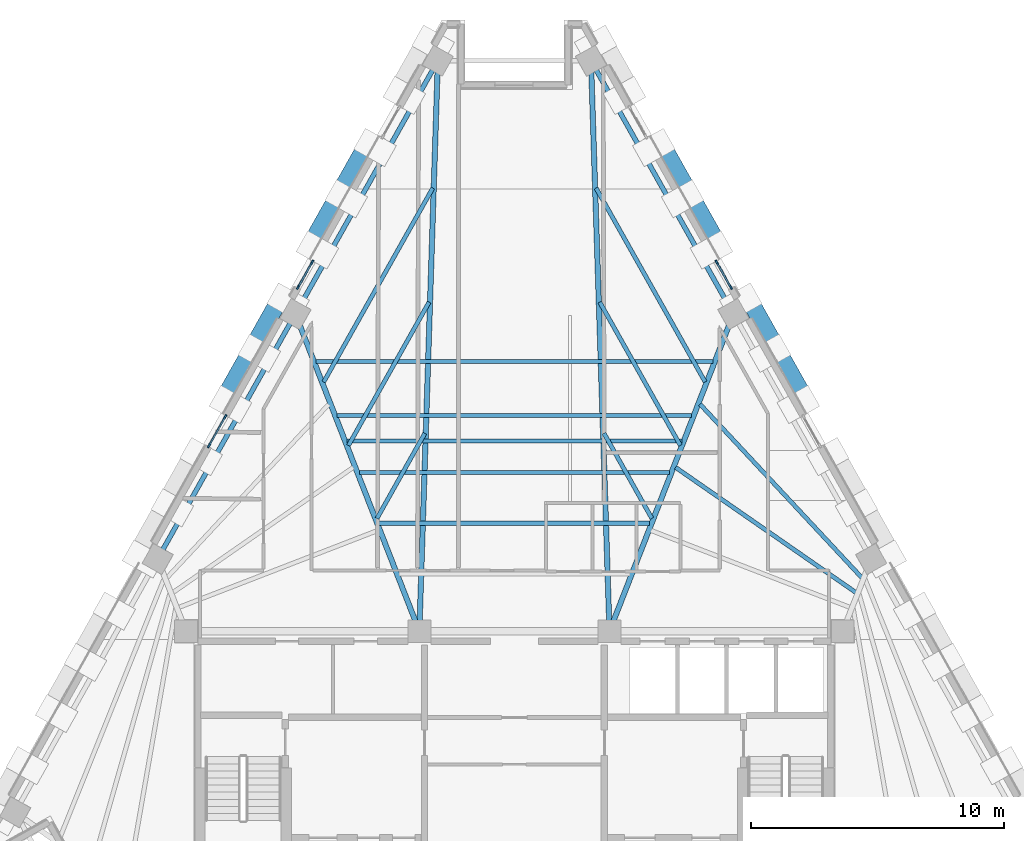
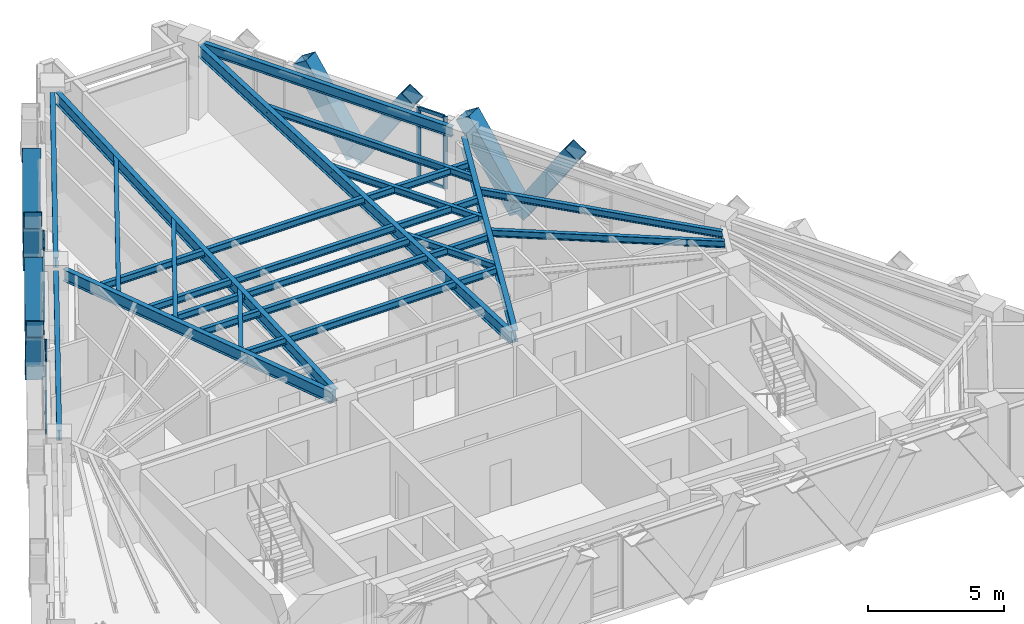
# One storey, part 3 of 12: 23 members, 20 beams, 3 elements without a shape of their own.
"""IFC4 building model written with IfcOpenShell, lengths in metres."""

import ifcopenshell
import ifcopenshell.guid

model = None  # the IFC model being written
_history = None  # IfcOwnerHistory: only IFC2X3 demands one
_inside = {}  # id of a spatial element -> (the spatial element, [elements in it])
_under = {}  # id of a project, library or spatial element -> (it, [spatial elements below it])
_declared = {}  # id of a project -> (the project, [libraries it declares])
_typed = {}  # id of a type object -> (the type object, [elements of that type])
_made_of = {}  # id of a material, layer set ... -> (it, [elements and type objects made of it])


def new_model(schema):
    """Start an empty IFC model of exactly this schema.

    Asked for "IFC4X3", IfcOpenShell would pick the latest addendum, in which some entities
    have other attributes; the version numbers below select the first issue.
    IFC2X3 requires an IfcOwnerHistory on every rooted entity: one is made here for all.
    """
    global model, _history
    if schema == "IFC4X3":
        model = ifcopenshell.file(schema_version=(4, 3, 0, 0))
    else:
        model = ifcopenshell.file(schema=schema)
    _inside.clear()
    _under.clear()
    _declared.clear()
    _typed.clear()
    _made_of.clear()
    _history = None
    if model.schema == "IFC2X3":
        org = make("IfcOrganization", Name="unknown")
        user = make(
            "IfcPersonAndOrganization",
            ThePerson=make("IfcPerson", FamilyName="unknown"),
            TheOrganization=org,
        )
        app = make(
            "IfcApplication",
            ApplicationDeveloper=org,
            Version="unknown",
            ApplicationFullName="unknown",
            ApplicationIdentifier="unknown",
        )
        _history = make(
            "IfcOwnerHistory",
            OwningUser=user,
            OwningApplication=app,
            ChangeAction="ADDED",
            CreationDate=0,
        )
    return model


def make(cls, **values):
    """One entity of the class cls with the attributes given. An attribute that is None is left unset."""
    return model.create_entity(
        cls, **{name: value for name, value in values.items() if value is not None}
    )


def rooted(cls, **values):
    """An entity with a GlobalId (a new one), such as an element, a storey or a relation."""
    return make(cls, GlobalId=ifcopenshell.guid.new(), OwnerHistory=_history, **values)


def si_unit(unit_type, name, prefix=None):
    """IfcSIUnit, for example si_unit("LENGTHUNIT", "METRE", prefix="MILLI")."""
    return make("IfcSIUnit", UnitType=unit_type, Prefix=prefix, Name=name)


def assignment(units):
    """IfcUnitAssignment: the units of a project."""
    return None if units is None else make("IfcUnitAssignment", Units=units)


def point(xyz):
    """IfcCartesianPoint."""
    return None if xyz is None else make("IfcCartesianPoint", Coordinates=xyz)


def direction(xyz):
    """IfcDirection."""
    return None if xyz is None else make("IfcDirection", DirectionRatios=xyz)


def frame(location, z_axis=None, x_axis=None):
    """IfcAxis2Placement3D, a coordinate frame: its origin and axes. An axis left out is left unset."""
    return make(
        "IfcAxis2Placement3D",
        Location=point(location),
        Axis=direction(z_axis),
        RefDirection=direction(x_axis),
    )


def frame_2d(location, x_axis=None):
    """IfcAxis2Placement2D, a coordinate frame in the plane: its origin and x axis."""
    return make(
        "IfcAxis2Placement2D", Location=point(location), RefDirection=direction(x_axis)
    )


def origin():
    """The frame at (0, 0, 0) with its axes left unset."""
    return frame((0.0, 0.0, 0.0))


def origin_2d():
    """The frame at (0, 0) in the plane with its x axis left unset."""
    return frame_2d((0.0, 0.0))


def place(relative_to, where):
    """IfcLocalPlacement: puts the frame where relative to a parent placement (None: the world)."""
    return make(
        "IfcLocalPlacement", PlacementRelTo=relative_to, RelativePlacement=where
    )


def context(
    kind, dimensions, precision=None, world=None, true_north=None, identifier=None
):
    """IfcGeometricRepresentationContext, for example the 3D "Model" context."""
    return make(
        "IfcGeometricRepresentationContext",
        ContextIdentifier=identifier,
        ContextType=kind,
        CoordinateSpaceDimension=dimensions,
        Precision=precision,
        WorldCoordinateSystem=world,
        TrueNorth=true_north,
    )


def subcontext(parent, identifier, kind, view, scale=None):
    """IfcGeometricRepresentationSubContext, for example "Body" below "Model"."""
    return make(
        "IfcGeometricRepresentationSubContext",
        ContextIdentifier=identifier,
        ContextType=kind,
        ParentContext=parent,
        TargetScale=scale,
        TargetView=view,
    )


def project(units=None, contexts=None):
    """IfcProject with its units and contexts."""
    return rooted(
        "IfcProject",
        Name="project",
        RepresentationContexts=contexts,
        UnitsInContext=assignment(units),
    )


def spatial(cls, under=None, at=None, **own):
    """A site, building, storey or space (cls), placed at a placement, below another one or the project."""
    s = rooted(cls, ObjectPlacement=at, **own)
    if under is not None:
        _under.setdefault(under.id(), (under, []))[1].append(s)
    return s


def profile(cls, at=None, kind="AREA", **sizes):
    """A parametric profile (cls). Its sizes go by their IFC names, for example OverallWidth=200.0."""
    return make(cls, ProfileType=kind, Position=at, **sizes)


def rectangle(**sizes):
    """IfcRectangleProfileDef."""
    return profile("IfcRectangleProfileDef", **sizes)


def hollow_rectangle(**sizes):
    """IfcRectangleHollowProfileDef."""
    return profile("IfcRectangleHollowProfileDef", **sizes)


def i_section(**sizes):
    """IfcIShapeProfileDef."""
    return profile("IfcIShapeProfileDef", **sizes)


def extrude(swept, where, along, depth):
    """IfcExtrudedAreaSolid: the profile swept, set in the frame where, extruded along a direction by depth."""
    return make(
        "IfcExtrudedAreaSolid",
        SweptArea=swept,
        Position=where,
        ExtrudedDirection=direction(along),
        Depth=depth,
    )


def shape(context_of_items, identifier, shape_type, items):
    """IfcShapeRepresentation: the items that make up one representation, for example the "Body"."""
    return make(
        "IfcShapeRepresentation",
        ContextOfItems=context_of_items,
        RepresentationIdentifier=identifier,
        RepresentationType=shape_type,
        Items=items,
    )


def material(Name=None, Category=None):
    """IfcMaterial."""
    return make("IfcMaterial", Name=Name, Category=Category)


def material_profile(
    of_material, cross_section, Name=None, Category=None, Priority=None
):
    """IfcMaterialProfile: a cross section and its material."""
    return make(
        "IfcMaterialProfile",
        Name=Name,
        Material=of_material,
        Profile=cross_section,
        Priority=Priority,
        Category=Category,
    )


def profile_set(profiles, Name=None, composite=None):
    """IfcMaterialProfileSet."""
    return make(
        "IfcMaterialProfileSet",
        Name=Name,
        MaterialProfiles=profiles,
        CompositeProfile=composite,
    )


def made_of(thing, what):
    """Note that an element or type object is made of a material, layer set ...; save() writes the relation."""
    if what is not None:
        _made_of.setdefault(what.id(), (what, []))[1].append(thing)
    return thing


def type_object(cls, material=None, **own):
    """A type object (cls), such as IfcWallType, which elements share."""
    return made_of(rooted(cls, **own), material)


def element(
    cls,
    number,
    at=None,
    inside=None,
    cuts=None,
    type_object=None,
    material=None,
    context=None,
    identifier="Body",
    shape_type=None,
    held_by="IfcProductDefinitionShape",
    body=None,
    shapes=None,
    **own,
):
    """One element of the class cls, such as IfcWall. Its Tag is "e" and its number.

    at: its placement. inside: the storey or other place that contains it. cuts: it is an
    opening in that element (IfcRelVoidsElement). A single representation is given by context,
    identifier, shape_type and body (its items); several are given by shapes. held_by: the class
    of the entity that holds the representations. save() writes the other relations.
    """
    e = rooted(cls, Tag="e%d" % number, ObjectPlacement=at, **own)
    if body is not None:
        shapes = [shape(context, identifier, shape_type, body)]
    if shapes is not None:
        e.Representation = make(held_by, Representations=shapes)
    if inside is not None:
        _inside.setdefault(inside.id(), (inside, []))[1].append(e)
    if cuts is not None:
        rooted(
            "IfcRelVoidsElement", RelatingBuildingElement=cuts, RelatedOpeningElement=e
        )
    if type_object is not None:
        _typed.setdefault(type_object.id(), (type_object, []))[1].append(e)
    return made_of(e, material)


def aggregate(whole, parts):
    """IfcRelAggregates: a whole, such as a stair, and the parts it consists of."""
    return rooted("IfcRelAggregates", RelatingObject=whole, RelatedObjects=parts)


def save(model, path):
    """Write the relations noted so far, then the file.

    IfcRelAggregates (storeys below a building ...), IfcRelContainedInSpatialStructure (elements
    in a storey), IfcRelDefinesByType, IfcRelAssociatesMaterial and IfcRelDeclares: one each for
    every whole, place, type object, material and project.
    """
    for whole, parts in _under.values():
        aggregate(whole, parts)
    for where, things in _inside.values():
        rooted(
            "IfcRelContainedInSpatialStructure",
            RelatedElements=things,
            RelatingStructure=where,
        )
    for kind, things in _typed.values():
        rooted("IfcRelDefinesByType", RelatedObjects=things, RelatingType=kind)
    for what, things in _made_of.values():
        rooted("IfcRelAssociatesMaterial", RelatedObjects=things, RelatingMaterial=what)
    for by, libraries in _declared.values():
        rooted("IfcRelDeclares", RelatingContext=by, RelatedDefinitions=libraries)
    model.write(path)


model = new_model("IFC4")

# Units and contexts
model_context = context("Model", 3, precision=1e-05, world=origin(), true_north=direction((0.0, 1.0)))
body_context = subcontext(model_context, "Body", "Model", "MODEL_VIEW")
ifc_project = project(units=[si_unit("LENGTHUNIT", "METRE"), si_unit("AREAUNIT", "SQUARE_METRE"), si_unit("VOLUMEUNIT", "CUBIC_METRE"), si_unit("PLANEANGLEUNIT", "RADIAN"), si_unit("MASSUNIT", "GRAM", prefix="KILO")], contexts=[model_context])

# Site, building, storey
site_placement = place(None, origin())
site = spatial("IfcSite", under=ifc_project, at=site_placement, CompositionType="ELEMENT")
building_placement = place(site_placement, origin())
building = spatial("IfcBuilding", under=site, at=building_placement, Name="Quenlor Broadcast Tower", CompositionType="ELEMENT")
storey_placement = place(building_placement, frame((0.0, 0.0, 190.39990234375)))
storey = spatial("IfcBuildingStorey", under=building, at=storey_placement, Name="L52", CompositionType="ELEMENT", Elevation=190.39990234375)

# Curtain wall, members
ifc_material_1 = material(Name="Architectural Terracotta and Low-E Glazing", Category="masonry")
curtain_wall_type = type_object("IfcCurtainWallType", Name="Unitised Terracotta Curtain Wall System Z4", PredefinedType="NOTDEFINED", material=ifc_material_1)
curtain_wall_1_placement = place(storey_placement, origin())
curtain_wall_1 = element("IfcCurtainWall", 1, at=curtain_wall_1_placement, inside=storey, type_object=curtain_wall_type, Name="L52 Curtain Wall CW4 (L52-NEA-G2)", PredefinedType="NOTDEFINED")
ifc_material_2 = material(Name="Aluminium 6063-T6", Category="aluminium")
ifc_material_profile_1 = material_profile(ifc_material_2, rectangle(XDim=0.068115234375, YDim=0.179931640625, at=origin_2d()))
ifc_profile_set_1 = profile_set([ifc_material_profile_1], Name="Aluminium 6063-T6 MULL68x180")
member_type_1 = type_object("IfcMemberType", Name="CW4 Aluminium Mullion MULL_CW4", PredefinedType="MULLION", material=ifc_profile_set_1)
member_1_placement = place(storey_placement, frame((7.979248046875, 9.755859375, 0.0), z_axis=(0.0, 0.0, 1.0), x_axis=(0.871557755022, 0.490292850918, 0.0)))
member_1 = element("IfcMember", 2, at=member_1_placement, type_object=member_type_1, Name="CW4 mullion 1", PredefinedType="MULLION", context=body_context, shape_type="SweptSolid", body=[
    extrude(rectangle(XDim=0.068115234375, YDim=0.179931640625, at=origin_2d()), origin(), (0.0, 0.0, 1.0), 3.25),
])
member_2_placement = place(storey_placement, frame((8.534912109375, 8.767822265625, 0.0), z_axis=(0.0, 0.0, 1.0), x_axis=(0.871557755022, 0.490292850918, 0.0)))
member_2 = element("IfcMember", 3, at=member_2_placement, type_object=member_type_1, Name="CW4 mullion 2", PredefinedType="MULLION", context=body_context, shape_type="SweptSolid", body=[
    extrude(rectangle(XDim=0.068115234375, YDim=0.179931640625, at=origin_2d()), origin(), (0.0, 0.0, 1.0), 3.25),
])

curtain_wall_2_placement = place(storey_placement, origin())
curtain_wall_2 = element("IfcCurtainWall", 4, at=curtain_wall_2_placement, inside=storey, type_object=curtain_wall_type, Name="L52 Curtain Wall CW4 (L52-NWC-G1)", PredefinedType="NOTDEFINED")
member_3_placement = place(storey_placement, frame((-8.534912109375, 8.767822265625, 0.0), z_axis=(0.0, 0.0, 1.0), x_axis=(-0.871557755022, 0.490292850918, 0.0)))
member_3 = element("IfcMember", 5, at=member_3_placement, type_object=member_type_1, Name="CW4 mullion 1", PredefinedType="MULLION", context=body_context, shape_type="SweptSolid", body=[
    extrude(rectangle(XDim=0.068115234375, YDim=0.179931640625, at=origin_2d()), origin(), (0.0, 0.0, 1.0), 3.25),
])
member_4_placement = place(storey_placement, frame((-7.979248046875, 9.755859375, 0.0), z_axis=(0.0, 0.0, 1.0), x_axis=(-0.871557755022, 0.490292850918, 0.0)))
member_4 = element("IfcMember", 6, at=member_4_placement, type_object=member_type_1, Name="CW4 mullion 2", PredefinedType="MULLION", context=body_context, shape_type="SweptSolid", body=[
    extrude(rectangle(XDim=0.068115234375, YDim=0.179931640625, at=origin_2d()), origin(), (0.0, 0.0, 1.0), 3.25),
])

curtain_wall_3_placement = place(storey_placement, origin())
curtain_wall_3 = element("IfcCurtainWall", 7, at=curtain_wall_3_placement, inside=storey, type_object=curtain_wall_type, Name="L52 Curtain Wall CW4 (L52-NW-G1)", PredefinedType="NOTDEFINED")
member_5_placement = place(storey_placement, frame((-12.049560546875, 2.519775390625, 0.0), z_axis=(0.0, 0.0, 1.0), x_axis=(-0.871560008943, 0.490288844266, 0.0)))
member_5 = element("IfcMember", 8, at=member_5_placement, type_object=member_type_1, Name="CW4 mullion 1", PredefinedType="MULLION", context=body_context, shape_type="SweptSolid", body=[
    extrude(rectangle(XDim=0.068115234375, YDim=0.179931640625, at=origin_2d()), origin(), (0.0, 0.0, 1.0), 3.25),
])
member_6_placement = place(storey_placement, frame((-11.408203125, 3.65966796875, 0.0), z_axis=(0.0, 0.0, 1.0), x_axis=(-0.871560008943, 0.490288844266, 0.0)))
member_6 = element("IfcMember", 9, at=member_6_placement, type_object=member_type_1, Name="CW4 mullion 2", PredefinedType="MULLION", context=body_context, shape_type="SweptSolid", body=[
    extrude(rectangle(XDim=0.068115234375, YDim=0.179931640625, at=origin_2d()), origin(), (0.0, 0.0, 1.0), 3.25),
])

# Member
ifc_material_3 = material(Name="Aluminium 6063-T6", Category="aluminium")
ifc_material_profile_2 = material_profile(ifc_material_3, rectangle(XDim=0.068115234375, YDim=0.14990234375, at=origin_2d()))
ifc_profile_set_2 = profile_set([ifc_material_profile_2], Name="Aluminium 6063-T6 TRAN68x150")
member_type_2 = type_object("IfcMemberType", Name="CW4 Aluminium Transom TRAN_CW4", PredefinedType="USERDEFINED", material=ifc_profile_set_2)
member_7_placement = place(storey_placement, frame((7.995849609375, 9.72607421875, 0.0341796875), z_axis=(0.490304750356, -0.871551060913, 0.0), x_axis=(0.871551060913, 0.490304750356, 0.0)))
member_7 = element("IfcMember", 10, at=member_7_placement, type_object=member_type_2, Name="CW4 transom 1.1", ObjectType="TRANSOM", PredefinedType="USERDEFINED", context=body_context, shape_type="SweptSolid", body=[
    extrude(rectangle(XDim=0.068115234375, YDim=0.14990234375, at=origin_2d()), origin(), (0.0, 0.0, 1.0), 1.065673828125),
])

member_8_placement = place(storey_placement, frame((7.995849609375, 9.72607421875, 0.9501953125), z_axis=(0.490304750356, -0.871551060913, 0.0), x_axis=(0.871551060913, 0.490304750356, 0.0)))
member_8 = element("IfcMember", 11, at=member_8_placement, type_object=member_type_2, Name="CW4 transom 1.2", ObjectType="TRANSOM", PredefinedType="USERDEFINED", context=body_context, shape_type="SweptSolid", body=[
    extrude(rectangle(XDim=0.068115234375, YDim=0.14990234375, at=origin_2d()), origin(), (0.0, 0.0, 1.0), 1.065673828125),
])

member_9_placement = place(storey_placement, frame((7.995849609375, 9.72607421875, 3.216064453125), z_axis=(0.490304750356, -0.871551060913, 0.0), x_axis=(0.871551060913, 0.490304750356, 0.0)))
member_9 = element("IfcMember", 12, at=member_9_placement, type_object=member_type_2, Name="CW4 transom 1.3", ObjectType="TRANSOM", PredefinedType="USERDEFINED", context=body_context, shape_type="SweptSolid", body=[
    extrude(rectangle(XDim=0.068115234375, YDim=0.14990234375, at=origin_2d()), origin(), (0.0, 0.0, 1.0), 1.065673828125),
])

aggregate(curtain_wall_1, [member_1, member_2, member_7, member_8, member_9])

member_10_placement = place(storey_placement, frame((-8.518310546875, 8.79736328125, 0.0341796875), z_axis=(0.490304750356, 0.871551060913, 0.0), x_axis=(-0.871551060913, 0.490304750356, 0.0)))
member_10 = element("IfcMember", 13, at=member_10_placement, type_object=member_type_2, Name="CW4 transom 1.1", ObjectType="TRANSOM", PredefinedType="USERDEFINED", context=body_context, shape_type="SweptSolid", body=[
    extrude(rectangle(XDim=0.068115234375, YDim=0.14990234375, at=origin_2d()), origin(), (0.0, 0.0, 1.0), 1.065673828125),
])

member_11_placement = place(storey_placement, frame((-8.518310546875, 8.79736328125, 0.9501953125), z_axis=(0.490304750356, 0.871551060913, 0.0), x_axis=(-0.871551060913, 0.490304750356, 0.0)))
member_11 = element("IfcMember", 14, at=member_11_placement, type_object=member_type_2, Name="CW4 transom 1.2", ObjectType="TRANSOM", PredefinedType="USERDEFINED", context=body_context, shape_type="SweptSolid", body=[
    extrude(rectangle(XDim=0.068115234375, YDim=0.14990234375, at=origin_2d()), origin(), (0.0, 0.0, 1.0), 1.065673828125),
])

member_12_placement = place(storey_placement, frame((-8.518310546875, 8.79736328125, 3.216064453125), z_axis=(0.490304750356, 0.871551060913, 0.0), x_axis=(-0.871551060913, 0.490304750356, 0.0)))
member_12 = element("IfcMember", 15, at=member_12_placement, type_object=member_type_2, Name="CW4 transom 1.3", ObjectType="TRANSOM", PredefinedType="USERDEFINED", context=body_context, shape_type="SweptSolid", body=[
    extrude(rectangle(XDim=0.068115234375, YDim=0.14990234375, at=origin_2d()), origin(), (0.0, 0.0, 1.0), 1.065673828125),
])

aggregate(curtain_wall_2, [member_3, member_4, member_10, member_11, member_12])

member_13_placement = place(storey_placement, frame((-12.032958984375, 2.54931640625, 0.0341796875), z_axis=(0.490233197009, 0.871591310506, 0.0), x_axis=(-0.871591310506, 0.490233197009, 0.0)))
member_13 = element("IfcMember", 16, at=member_13_placement, type_object=member_type_2, Name="CW4 transom 1.1", ObjectType="TRANSOM", PredefinedType="USERDEFINED", context=body_context, shape_type="SweptSolid", body=[
    extrude(rectangle(XDim=0.068115234375, YDim=0.14990234375, at=origin_2d()), origin(), (0.0, 0.0, 1.0), 1.239990234375),
])

member_14_placement = place(storey_placement, frame((-12.032958984375, 2.54931640625, 0.9501953125), z_axis=(0.490233197009, 0.871591310506, 0.0), x_axis=(-0.871591310506, 0.490233197009, 0.0)))
member_14 = element("IfcMember", 17, at=member_14_placement, type_object=member_type_2, Name="CW4 transom 1.2", ObjectType="TRANSOM", PredefinedType="USERDEFINED", context=body_context, shape_type="SweptSolid", body=[
    extrude(rectangle(XDim=0.068115234375, YDim=0.14990234375, at=origin_2d()), origin(), (0.0, 0.0, 1.0), 1.239990234375),
])

member_15_placement = place(storey_placement, frame((-12.032958984375, 2.54931640625, 3.216064453125), z_axis=(0.490233197009, 0.871591310506, 0.0), x_axis=(-0.871591310506, 0.490233197009, 0.0)))
member_15 = element("IfcMember", 18, at=member_15_placement, type_object=member_type_2, Name="CW4 transom 1.3", ObjectType="TRANSOM", PredefinedType="USERDEFINED", context=body_context, shape_type="SweptSolid", body=[
    extrude(rectangle(XDim=0.068115234375, YDim=0.14990234375, at=origin_2d()), origin(), (0.0, 0.0, 1.0), 1.239990234375),
])

aggregate(curtain_wall_3, [member_5, member_6, member_13, member_14, member_15])

# Members
ifc_material_4 = material(Name="Steel S355", Category="steel")
ifc_material_profile_3 = material_profile(ifc_material_4, hollow_rectangle(XDim=0.679931640625, YDim=0.679931640625, WallThickness=0.02490234375, at=origin_2d()))
ifc_profile_set_3 = profile_set([ifc_material_profile_3], Name="Steel S355 RHS680x680x25")
member_type_3 = type_object("IfcMemberType", Name="Perimeter Diagonal Lattice Brace Z3-Z4 Steel S355 RHS680x25", PredefinedType="BRACE", material=ifc_profile_set_3)
for number, where, z_axis, x_axis, name in (
    (19, (6.922607421875, 12.439697265625, -0.119873046875), (-0.269485495908, 0.479188912076, 0.835317636614), (-0.871620820774, -0.490180726664, 0.0), "L52 Perimeter Diamond Lattice NE-C1B"),
    (20, (6.936279296875, 12.415283203125, -0.119873046875), (0.269547055694, -0.479136497832, 0.835327840559), (0.871550060774, 0.49030652817, 0.0), "L52 Perimeter Diamond Lattice NE-C2S"),
):
    element("IfcMember", number, at=place(storey_placement, frame(where, z_axis=z_axis, x_axis=x_axis)), inside=storey, type_object=member_type_3, Name=name, PredefinedType="BRACE", context=body_context, shape_type="SweptSolid", body=[
        extrude(hollow_rectangle(XDim=0.679931640625, YDim=0.679931640625, WallThickness=0.02490234375, at=origin_2d()), origin(), (0.0, 0.0, 1.0), 4.18994140625),
    ])
member_16_placement = place(storey_placement, frame((10.351806640625, 6.343505859375, -0.119873046875), z_axis=(-0.269539530269, 0.479181387144, 0.835304519224), x_axis=(-0.871575537125, -0.490261239633, 0.0)))
element("IfcMember", 21, at=member_16_placement, inside=storey, type_object=member_type_3, Name="L52 Perimeter Diamond Lattice NE-C2B", PredefinedType="BRACE", context=body_context, shape_type="SweptSolid", body=[
    extrude(hollow_rectangle(XDim=0.679931640625, YDim=0.679931640625, WallThickness=0.02490234375, at=origin_2d()), origin(), (0.0, 0.0, 1.0), 4.190185546875),
])
for number, where, z_axis, x_axis, name in (
    (22, (10.365478515625, 6.319091796875, -0.119873046875), (0.269547055694, -0.479136497832, 0.835327840559), (0.871550060774, 0.49030652817, 0.0), "L52 Perimeter Diamond Lattice NE-C3S"),
    (23, (-10.365478515625, 6.319091796875, -0.119873046875), (-0.269547055694, -0.479136497832, 0.835327840559), (0.871550060774, -0.49030652817, 0.0), "L52 Perimeter Diamond Lattice NW-C3B"),
):
    element("IfcMember", number, at=place(storey_placement, frame(where, z_axis=z_axis, x_axis=x_axis)), inside=storey, type_object=member_type_3, Name=name, PredefinedType="BRACE", context=body_context, shape_type="SweptSolid", body=[
        extrude(hollow_rectangle(XDim=0.679931640625, YDim=0.679931640625, WallThickness=0.02490234375, at=origin_2d()), origin(), (0.0, 0.0, 1.0), 4.18994140625),
    ])
member_17_placement = place(storey_placement, frame((-10.351806640625, 6.343505859375, -0.119873046875), z_axis=(0.269539530269, 0.479181387144, 0.835304519224), x_axis=(-0.871575537125, 0.490261239633, 0.0)))
element("IfcMember", 24, at=member_17_placement, inside=storey, type_object=member_type_3, Name="L52 Perimeter Diamond Lattice NW-C4S", PredefinedType="BRACE", context=body_context, shape_type="SweptSolid", body=[
    extrude(hollow_rectangle(XDim=0.679931640625, YDim=0.679931640625, WallThickness=0.02490234375, at=origin_2d()), origin(), (0.0, 0.0, 1.0), 4.190185546875),
])
for number, where, z_axis, x_axis, name in (
    (25, (-6.936279296875, 12.415283203125, -0.119873046875), (-0.269547055694, -0.479136497832, 0.835327840559), (0.871550060774, -0.49030652817, 0.0), "L52 Perimeter Diamond Lattice NW-C4B"),
    (26, (-6.922607421875, 12.439697265625, -0.119873046875), (0.269485495908, 0.479188912076, 0.835317636614), (-0.871620820774, 0.490180726664, 0.0), "L52 Perimeter Diamond Lattice NW-C5S"),
):
    element("IfcMember", number, at=place(storey_placement, frame(where, z_axis=z_axis, x_axis=x_axis)), inside=storey, type_object=member_type_3, Name=name, PredefinedType="BRACE", context=body_context, shape_type="SweptSolid", body=[
        extrude(hollow_rectangle(XDim=0.679931640625, YDim=0.679931640625, WallThickness=0.02490234375, at=origin_2d()), origin(), (0.0, 0.0, 1.0), 4.18994140625),
    ])

# Beams
ifc_material_5 = material(Name="Steel S355", Category="steel")
ifc_material_profile_4 = material_profile(ifc_material_5, i_section(OverallWidth=0.18994140625, OverallDepth=0.453857421875, WebThickness=0.008544921875, FlangeThickness=0.0126953125, FilletRadius=0.011474609375, at=origin_2d()))
ifc_profile_set_4 = profile_set([ifc_material_profile_4], Name="Steel S355 460UB67.1")
beam_type_1 = type_object("IfcBeamType", Name="Perimeter Spandrel Beam Z4 Steel S355 460UB67.1", PredefinedType="SPANDREL", material=ifc_profile_set_4)
for number, where, z_axis, x_axis, name in (
    (27, (8.438720703125, 8.072265625, 3.023193359375), (-0.490281935429, 0.871563895415, 0.0), (-0.871563895415, -0.490281935429, 0.0), "L52 Spandrel Beam NE3-NE4"),
    (28, (-3.221435546875, 17.346923828125, 3.023193359375), (-0.490281935429, -0.871563895415, 0.0), (0.871563895415, -0.490281935429, 0.0), "L52 Spandrel Beam NW1-NW2"),
):
    element("IfcBeam", number, at=place(storey_placement, frame(where, z_axis=z_axis, x_axis=x_axis)), inside=storey, type_object=beam_type_1, Name=name, PredefinedType="SPANDREL", context=body_context, shape_type="SweptSolid", body=[
        extrude(i_section(OverallWidth=0.18994140625, OverallDepth=0.453857421875, WebThickness=0.008544921875, FlangeThickness=0.0126953125, FilletRadius=0.011474609375, at=origin_2d()), origin(), (0.0, 0.0, 1.0), 10.641357421875),
    ])
beam_1_placement = place(storey_placement, frame((-8.840576171875, 7.357666015625, 3.023193359375), z_axis=(-0.490263496537, -0.871574267612, 0.0), x_axis=(0.871574267612, -0.490263496537, 0.0)))
element("IfcBeam", 29, at=beam_1_placement, inside=storey, type_object=beam_type_1, Name="L52 Spandrel Beam NW2-NW3", PredefinedType="SPANDREL", context=body_context, shape_type="SweptSolid", body=[
    extrude(i_section(OverallWidth=0.18994140625, OverallDepth=0.453857421875, WebThickness=0.008544921875, FlangeThickness=0.0126953125, FilletRadius=0.011474609375, at=origin_2d()), origin(), (0.0, 0.0, 1.0), 10.271728515625),
])
ifc_material_6 = material(Name="Steel S355", Category="steel")
ifc_material_profile_5 = material_profile(ifc_material_6, i_section(OverallWidth=0.166015625, OverallDepth=0.30712890625, WebThickness=0.006591796875, FlangeThickness=0.01171875, FilletRadius=0.011474609375, at=origin_2d()))
ifc_profile_set_5 = profile_set([ifc_material_profile_5], Name="Steel S355 310UB46.2")
beam_type_2 = type_object("IfcBeamType", Name="Tower Composite Joist Z4-Z5 Steel S355 310UB46.2", PredefinedType="JOIST", material=ifc_profile_set_5)
beam_2_placement = place(storey_placement, frame((-6.603759765625, 2.708984375, 3.096435546875), z_axis=(1.0, 0.0, 0.0), x_axis=(0.0, 1.0, 0.0)))
element("IfcBeam", 30, at=beam_2_placement, inside=storey, type_object=beam_type_2, Name="L52 Secondary Composite Joist 2", PredefinedType="JOIST", context=body_context, shape_type="SweptSolid", body=[
    extrude(i_section(OverallWidth=0.166015625, OverallDepth=0.30712890625, WebThickness=0.006591796875, FlangeThickness=0.01171875, FilletRadius=0.011474609375, at=origin_2d()), origin(), (0.0, 0.0, 1.0), 13.20751953125),
])
beam_3_placement = place(storey_placement, frame((-5.33251953125, -0.544921875, 3.096435546875), z_axis=(1.0, 0.0, 0.0), x_axis=(0.0, 1.0, 0.0)))
element("IfcBeam", 31, at=beam_3_placement, inside=storey, type_object=beam_type_2, Name="L52 Secondary Composite Joist 3", PredefinedType="JOIST", context=body_context, shape_type="SweptSolid", body=[
    extrude(i_section(OverallWidth=0.166015625, OverallDepth=0.30712890625, WebThickness=0.006591796875, FlangeThickness=0.01171875, FilletRadius=0.011474609375, at=origin_2d()), origin(), (0.0, 0.0, 1.0), 10.6650390625),
])
beam_4_placement = place(storey_placement, frame((-6.11474609375, 1.45751953125, 3.096435546875), z_axis=(1.0, 0.0, 0.0), x_axis=(0.0, 1.0, 0.0)))
element("IfcBeam", 32, at=beam_4_placement, inside=storey, type_object=beam_type_2, Name="L52 Secondary Composite Joist 4", PredefinedType="JOIST", context=body_context, shape_type="SweptSolid", body=[
    extrude(i_section(OverallWidth=0.166015625, OverallDepth=0.30712890625, WebThickness=0.006591796875, FlangeThickness=0.01171875, FilletRadius=0.011474609375, at=origin_2d()), origin(), (0.0, 0.0, 1.0), 12.2294921875),
])
beam_5_placement = place(storey_placement, frame((-6.994873046875, 3.710205078125, 3.096435546875), z_axis=(1.0, 0.0, 0.0), x_axis=(0.0, 1.0, 0.0)))
element("IfcBeam", 33, at=beam_5_placement, inside=storey, type_object=beam_type_2, Name="L52 Secondary Composite Joist 5", PredefinedType="JOIST", context=body_context, shape_type="SweptSolid", body=[
    extrude(i_section(OverallWidth=0.166015625, OverallDepth=0.30712890625, WebThickness=0.006591796875, FlangeThickness=0.01171875, FilletRadius=0.011474609375, at=origin_2d()), origin(), (0.0, 0.0, 1.0), 13.98974609375),
])
beam_6_placement = place(storey_placement, frame((-7.826171875, 5.837646484375, 3.096435546875), z_axis=(1.0, 0.0, 0.0), x_axis=(0.0, 1.0, 0.0)))
element("IfcBeam", 34, at=beam_6_placement, inside=storey, type_object=beam_type_2, Name="L52 Secondary Composite Joist 6", PredefinedType="JOIST", context=body_context, shape_type="SweptSolid", body=[
    extrude(i_section(OverallWidth=0.166015625, OverallDepth=0.30712890625, WebThickness=0.006591796875, FlangeThickness=0.01171875, FilletRadius=0.011474609375, at=origin_2d()), origin(), (0.0, 0.0, 1.0), 15.65234375),
])
beam_7_placement = place(storey_placement, frame((13.470458984375, -3.273681640625, 3.096435546875), z_axis=(-0.821539857981, 0.570151086773, 0.0), x_axis=(-0.570151086773, -0.821539857981, 0.0)))
element("IfcBeam", 35, at=beam_7_placement, inside=storey, type_object=beam_type_2, Name="L52 Secondary Composite Joist 11", PredefinedType="JOIST", context=body_context, shape_type="SweptSolid", body=[
    extrude(i_section(OverallWidth=0.166015625, OverallDepth=0.30712890625, WebThickness=0.006591796875, FlangeThickness=0.01171875, FilletRadius=0.011474609375, at=origin_2d()), origin(), (0.0, 0.0, 1.0), 8.656982421875),
])
beam_8_placement = place(storey_placement, frame((13.707275390625, -2.691162109375, 3.096435546875), z_axis=(-0.682034672805, 0.731319837754, 0.0), x_axis=(-0.731319837754, -0.682034672805, 0.0)))
element("IfcBeam", 36, at=beam_8_placement, inside=storey, type_object=beam_type_2, Name="L52 Secondary Composite Joist 12", PredefinedType="JOIST", context=body_context, shape_type="SweptSolid", body=[
    extrude(i_section(OverallWidth=0.166015625, OverallDepth=0.30712890625, WebThickness=0.006591796875, FlangeThickness=0.01171875, FilletRadius=0.011474609375, at=origin_2d()), origin(), (0.0, 0.0, 1.0), 9.357421875),
])
beam_9_placement = place(storey_placement, frame((-3.533935546875, 3.0068359375, 3.096435546875), z_axis=(-0.490243182397, -0.871585694073, 0.0), x_axis=(0.871585694073, -0.490243182397, 0.0)))
element("IfcBeam", 37, at=beam_9_placement, inside=storey, type_object=beam_type_2, Name="L52 Secondary Composite Joist 25", PredefinedType="JOIST", context=body_context, shape_type="SweptSolid", body=[
    extrude(i_section(OverallWidth=0.166015625, OverallDepth=0.30712890625, WebThickness=0.006591796875, FlangeThickness=0.01171875, FilletRadius=0.011474609375, at=origin_2d()), origin(), (0.0, 0.0, 1.0), 3.8515625),
])
beam_10_placement = place(storey_placement, frame((-3.3662109375, 8.182861328125, 3.096435546875), z_axis=(-0.490230865807, -0.871592621705, 0.0), x_axis=(0.871592621705, -0.490230865807, 0.0)))
element("IfcBeam", 38, at=beam_10_placement, inside=storey, type_object=beam_type_2, Name="L52 Secondary Composite Joist 26", PredefinedType="JOIST", context=body_context, shape_type="SweptSolid", body=[
    extrude(i_section(OverallWidth=0.166015625, OverallDepth=0.30712890625, WebThickness=0.006591796875, FlangeThickness=0.01171875, FilletRadius=0.011474609375, at=origin_2d()), origin(), (0.0, 0.0, 1.0), 6.487548828125),
])
beam_11_placement = place(storey_placement, frame((-3.22021484375, 12.68359375, 3.096435546875), z_axis=(-0.490261239633, -0.871575537125, 0.0), x_axis=(0.871575537125, -0.490261239633, 0.0)))
element("IfcBeam", 39, at=beam_11_placement, inside=storey, type_object=beam_type_2, Name="L52 Secondary Composite Joist 27", PredefinedType="JOIST", context=body_context, shape_type="SweptSolid", body=[
    extrude(i_section(OverallWidth=0.166015625, OverallDepth=0.30712890625, WebThickness=0.006591796875, FlangeThickness=0.01171875, FilletRadius=0.011474609375, at=origin_2d()), origin(), (0.0, 0.0, 1.0), 8.77978515625),
])
beam_12_placement = place(storey_placement, frame((3.533935546875, 3.0068359375, 3.096435546875), z_axis=(0.490243182397, -0.871585694073, 0.0), x_axis=(0.871585694073, 0.490243182397, 0.0)))
element("IfcBeam", 40, at=beam_12_placement, inside=storey, type_object=beam_type_2, Name="L52 Secondary Composite Joist 28", PredefinedType="JOIST", context=body_context, shape_type="SweptSolid", body=[
    extrude(i_section(OverallWidth=0.166015625, OverallDepth=0.30712890625, WebThickness=0.006591796875, FlangeThickness=0.01171875, FilletRadius=0.011474609375, at=origin_2d()), origin(), (0.0, 0.0, 1.0), 3.8515625),
])
beam_13_placement = place(storey_placement, frame((3.3662109375, 8.182861328125, 3.096435546875), z_axis=(0.490230865807, -0.871592621705, 0.0), x_axis=(0.871592621705, 0.490230865807, 0.0)))
element("IfcBeam", 41, at=beam_13_placement, inside=storey, type_object=beam_type_2, Name="L52 Secondary Composite Joist 29", PredefinedType="JOIST", context=body_context, shape_type="SweptSolid", body=[
    extrude(i_section(OverallWidth=0.166015625, OverallDepth=0.30712890625, WebThickness=0.006591796875, FlangeThickness=0.01171875, FilletRadius=0.011474609375, at=origin_2d()), origin(), (0.0, 0.0, 1.0), 6.487548828125),
])
beam_14_placement = place(storey_placement, frame((3.22021484375, 12.68359375, 3.096435546875), z_axis=(0.490261239633, -0.871575537125, 0.0), x_axis=(0.871575537125, 0.490261239633, 0.0)))
element("IfcBeam", 42, at=beam_14_placement, inside=storey, type_object=beam_type_2, Name="L52 Secondary Composite Joist 30", PredefinedType="JOIST", context=body_context, shape_type="SweptSolid", body=[
    extrude(i_section(OverallWidth=0.166015625, OverallDepth=0.30712890625, WebThickness=0.006591796875, FlangeThickness=0.01171875, FilletRadius=0.011474609375, at=origin_2d()), origin(), (0.0, 0.0, 1.0), 8.77978515625),
])
ifc_material_7 = material(Name="Steel S355", Category="steel")
ifc_material_profile_6 = material_profile(ifc_material_7, i_section(OverallWidth=0.208984375, OverallDepth=0.5283203125, WebThickness=0.009521484375, FlangeThickness=0.01318359375, FilletRadius=0.013916015625, at=origin_2d()))
ifc_profile_set_6 = profile_set([ifc_material_profile_6], Name="Steel S355 530UB82.0")
beam_type_3 = type_object("IfcBeamType", Name="Tower Primary Floor Beam Z4 Steel S355 530UB82.0", PredefinedType="BEAM", material=ifc_profile_set_6)
beam_15_placement = place(storey_placement, frame((8.490478515625, 7.3330078125, 2.986083984375), z_axis=(-0.363926160921, -0.931427801495, 0.0), x_axis=(0.931427801495, -0.363926160921, 0.0)))
element("IfcBeam", 43, at=beam_15_placement, inside=storey, type_object=beam_type_3, Name="L52 Primary Radial Beam NE3", PredefinedType="BEAM", context=body_context, shape_type="SweptSolid", body=[
    extrude(i_section(OverallWidth=0.208984375, OverallDepth=0.5283203125, WebThickness=0.009521484375, FlangeThickness=0.01318359375, FilletRadius=0.013916015625, at=origin_2d()), origin(), (0.0, 0.0, 1.0), 12.646240234375),
])
for number, where, z_axis, x_axis, name in (
    (44, (3.03369140625, 17.29443359375, 2.986083984375), (0.032408228632, -0.999474715397, 0.0), (0.999474715397, 0.032408228632, 0.0), "L52 Primary Radial Beam NE4"),
    (45, (-3.03369140625, 17.29443359375, 2.986083984375), (-0.032408228632, -0.999474715397, 0.0), (0.999474715397, -0.032408228632, 0.0), "L52 Primary Radial Beam NW1"),
):
    element("IfcBeam", number, at=place(storey_placement, frame(where, z_axis=z_axis, x_axis=x_axis)), inside=storey, type_object=beam_type_3, Name=name, PredefinedType="BEAM", context=body_context, shape_type="SweptSolid", body=[
        extrude(i_section(OverallWidth=0.208984375, OverallDepth=0.5283203125, WebThickness=0.009521484375, FlangeThickness=0.01318359375, FilletRadius=0.013916015625, at=origin_2d()), origin(), (0.0, 0.0, 1.0), 21.72607421875),
    ])
beam_16_placement = place(storey_placement, frame((-8.490478515625, 7.3330078125, 2.986083984375), z_axis=(0.363926160921, -0.931427801495, 0.0), x_axis=(0.931427801495, 0.363926160921, 0.0)))
element("IfcBeam", 46, at=beam_16_placement, inside=storey, type_object=beam_type_3, Name="L52 Primary Radial Beam NW2", PredefinedType="BEAM", context=body_context, shape_type="SweptSolid", body=[
    extrude(i_section(OverallWidth=0.208984375, OverallDepth=0.5283203125, WebThickness=0.009521484375, FlangeThickness=0.01318359375, FilletRadius=0.013916015625, at=origin_2d()), origin(), (0.0, 0.0, 1.0), 12.646240234375),
])

save(model, "model.ifc")
